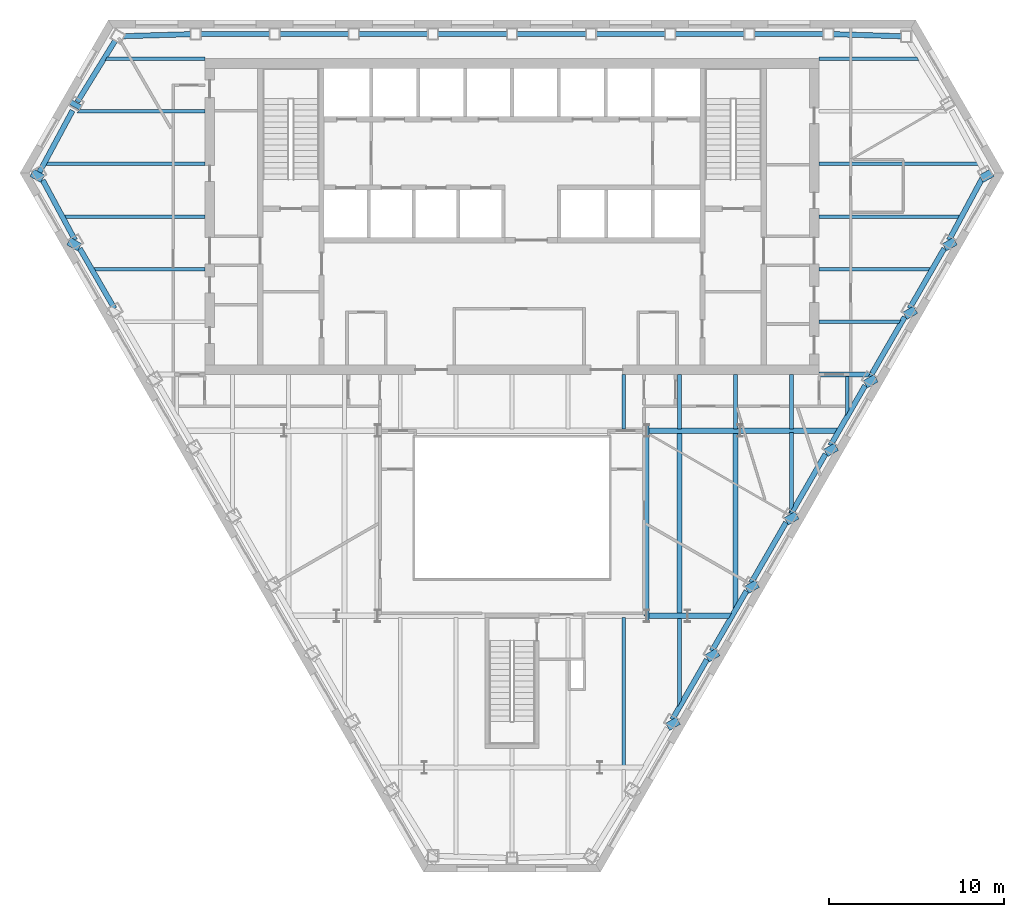
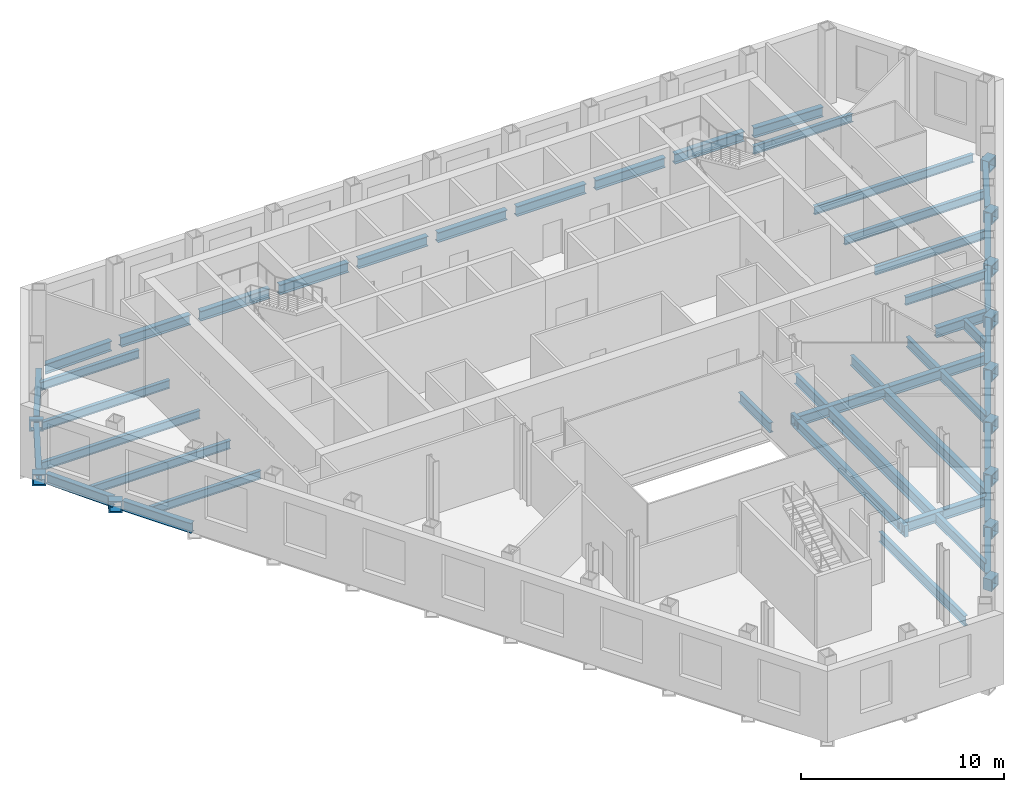
# One storey, part 3 of 11: 62 beams.
"""IFC4 building model written with IfcOpenShell, lengths in metres."""

from ifc_helpers import new_model, si_unit, direction, frame, origin, origin_2d, place, context, subcontext, project, spatial, hollow_rectangle, i_section, extrude, clip, halfspace, material, material_profile, profile_set, type_object, element, save


model = new_model("IFC4")

# Units and contexts
model_context = context("Model", 3, precision=1e-05, world=origin(), true_north=direction((0.0, 1.0)))
body_context = subcontext(model_context, "Body", "Model", "MODEL_VIEW")
ifc_project = project(units=[si_unit("LENGTHUNIT", "METRE"), si_unit("AREAUNIT", "SQUARE_METRE"), si_unit("VOLUMEUNIT", "CUBIC_METRE"), si_unit("PLANEANGLEUNIT", "RADIAN"), si_unit("MASSUNIT", "GRAM", prefix="KILO")], contexts=[model_context])

# Site, building, storey
site_placement = place(None, origin())
site = spatial("IfcSite", under=ifc_project, at=site_placement, CompositionType="ELEMENT")
building_placement = place(site_placement, origin())
building = spatial("IfcBuilding", under=site, at=building_placement, Name="Njiva Tower", CompositionType="ELEMENT")
storey_placement = place(building_placement, frame((0.0, 0.0, 97.8)))
storey = spatial("IfcBuildingStorey", under=building, at=storey_placement, Name="L20", CompositionType="ELEMENT", Elevation=97.8)

# Beams
ifc_material = material(Name="Steel S355 J2", Category="steel")
ifc_material_profile_1 = material_profile(ifc_material, i_section(OverallWidth=0.3, OverallDepth=0.69, WebThickness=0.0145, FlangeThickness=0.027, at=origin_2d()), Name="HEA 700")
ifc_profile_set_1 = profile_set([ifc_material_profile_1], Name="Steel S355 J2")
beam_type_1 = type_object("IfcBeamType", Name="B12 Long-span floor joist HEA 700", PredefinedType="JOIST", material=ifc_profile_set_1)
beam_1_placement = place(storey_placement, frame((9.55, -3.3, -0.545), z_axis=(0.0, -1.0, 0.0), x_axis=(1.0, 0.0, 0.0)))
element("IfcBeam", 1, at=beam_1_placement, inside=storey, type_object=beam_type_1, Name="Long-span floor joist S07-B085", PredefinedType="JOIST", context=body_context, shape_type="SweptSolid", body=[
    extrude(i_section(OverallWidth=0.3, OverallDepth=0.69, WebThickness=0.0145, FlangeThickness=0.027, at=origin_2d()), origin(), (0.0, 0.0, 1.0), 10.35),
])
beam_2_placement = place(storey_placement, frame((12.733, -3.3, -0.545), z_axis=(0.0, -1.0, 0.0), x_axis=(1.0, 0.0, 0.0)))
element("IfcBeam", 2, at=beam_2_placement, inside=storey, type_object=beam_type_1, Name="Long-span floor joist S07-B087", PredefinedType="JOIST", context=body_context, shape_type="Clipping", body=[
    clip(extrude(i_section(OverallWidth=0.3, OverallDepth=0.69, WebThickness=0.0145, FlangeThickness=0.027, at=origin_2d()), origin(), (0.0, 0.0, 1.0), 10.135), halfspace(frame((0.0436, 0.0, 9.8491), z_axis=(0.866026552831, 0.0, 0.499998009787), x_axis=(0.0, 1.0, 0.0)), False)),
])
ifc_material_profile_2 = material_profile(ifc_material, i_section(OverallWidth=0.22, OverallDepth=0.6, WebThickness=0.012, FlangeThickness=0.019, at=origin_2d()), Name="IPE 600")
ifc_profile_set_2 = profile_set([ifc_material_profile_2], Name="Steel S355 J2")
beam_type_2 = type_object("IfcBeamType", Name="B13 Floor joist IPE 600", PredefinedType="JOIST", material=ifc_profile_set_2)
beam_3_placement = place(storey_placement, frame((6.367, -13.851, -0.5), z_axis=(0.0, -1.0, 0.0), x_axis=(1.0, 0.0, 0.0)))
element("IfcBeam", 3, at=beam_3_placement, inside=storey, type_object=beam_type_2, Name="Floor joist S07-B082", PredefinedType="JOIST", context=body_context, shape_type="SweptSolid", body=[
    extrude(i_section(OverallWidth=0.22, OverallDepth=0.6, WebThickness=0.012, FlangeThickness=0.019, at=origin_2d()), origin(), (0.0, 0.0, 1.0), 8.449),
])
beam_4_placement = place(storey_placement, frame((9.55, -13.85, -0.5), z_axis=(0.0, -1.0, 0.0), x_axis=(1.0, 0.0, 0.0)))
element("IfcBeam", 4, at=beam_4_placement, inside=storey, type_object=beam_type_2, Name="Floor joist S07-B084", PredefinedType="JOIST", context=body_context, shape_type="Clipping", body=[
    clip(extrude(i_section(OverallWidth=0.22, OverallDepth=0.6, WebThickness=0.012, FlangeThickness=0.019, at=origin_2d()), origin(), (0.0, 0.0, 1.0), 5.099), halfspace(frame((0.0433, 0.0, 4.8128), z_axis=(0.866026552831, 0.0, 0.499998009787), x_axis=(0.0, 1.0, 0.0)), False)),
])
ifc_material_profile_3 = material_profile(ifc_material, i_section(OverallWidth=0.22, OverallDepth=0.6, WebThickness=0.012, FlangeThickness=0.019, at=origin_2d()), Name="IPE 600")
ifc_profile_set_3 = profile_set([ifc_material_profile_3], Name="Steel S355 J2")
beam_type_3 = type_object("IfcBeamType", Name="B14 Short-span floor joist IPE 600", PredefinedType="JOIST", material=ifc_profile_set_3)
beam_5_placement = place(storey_placement, frame((6.367, -0.005, -0.5), z_axis=(0.0, -1.0, 0.0), x_axis=(1.0, 0.0, 0.0)))
element("IfcBeam", 5, at=beam_5_placement, inside=storey, type_object=beam_type_3, Name="Short-span floor joist S07-B083", PredefinedType="JOIST", context=body_context, shape_type="SweptSolid", body=[
    extrude(i_section(OverallWidth=0.22, OverallDepth=0.6, WebThickness=0.012, FlangeThickness=0.019, at=origin_2d()), origin(), (0.0, 0.0, 1.0), 3.094),
])
for number, where, z_axis, x_axis, name in (
    (6, (9.55, -0.005, -0.5), (0.0, -1.0, 0.0), (1.0, 0.0, 0.0), "Short-span floor joist S07-B086"),
    (7, (12.733, -0.005, -0.5), (0.0, -1.0, 0.0), (1.0, 0.0, 0.0), "Short-span floor joist S07-B088"),
    (8, (15.917, -0.005, -0.5), (0.0, -1.0, 0.0), (1.0, 0.0, 0.0), "Short-span floor joist S07-B091"),
):
    element("IfcBeam", number, at=place(storey_placement, frame(where, z_axis=z_axis, x_axis=x_axis)), inside=storey, type_object=beam_type_3, Name=name, PredefinedType="JOIST", context=body_context, shape_type="SweptSolid", body=[
        extrude(i_section(OverallWidth=0.22, OverallDepth=0.6, WebThickness=0.012, FlangeThickness=0.019, at=origin_2d()), origin(), (0.0, 0.0, 1.0), 3.095),
    ])
beam_6_placement = place(storey_placement, frame((15.917, -3.3, -0.5), z_axis=(0.0, -1.0, 0.0), x_axis=(1.0, 0.0, 0.0)))
element("IfcBeam", 9, at=beam_6_placement, inside=storey, type_object=beam_type_3, Name="Short-span floor joist S07-B090", PredefinedType="JOIST", context=body_context, shape_type="Clipping", body=[
    clip(extrude(i_section(OverallWidth=0.22, OverallDepth=0.6, WebThickness=0.012, FlangeThickness=0.019, at=origin_2d()), origin(), (0.0, 0.0, 1.0), 4.621), halfspace(frame((0.043, 0.0, 4.3354), z_axis=(0.866026552831, 0.0, 0.499998009787), x_axis=(0.0, 1.0, 0.0)), False)),
])
beam_7_placement = place(storey_placement, frame((19.1, -0.1, -0.5), z_axis=(0.0, -1.0, 0.0), x_axis=(1.0, 0.0, 0.0)))
element("IfcBeam", 10, at=beam_7_placement, inside=storey, type_object=beam_type_3, Name="Short-span floor joist S07-B092", PredefinedType="JOIST", context=body_context, shape_type="Clipping", body=[
    clip(extrude(i_section(OverallWidth=0.22, OverallDepth=0.6, WebThickness=0.012, FlangeThickness=0.019, at=origin_2d()), origin(), (0.0, 0.0, 1.0), 2.308), halfspace(frame((0.0433, 0.0, 2.0217), z_axis=(0.866026552831, 0.0, 0.499998009787), x_axis=(0.0, 1.0, 0.0)), False)),
])
ifc_material_profile_4 = material_profile(ifc_material, hollow_rectangle(XDim=0.7, YDim=0.7, WallThickness=0.08, at=origin_2d()), Name="BOX 700x700x80")
ifc_profile_set_4 = profile_set([ifc_material_profile_4], Name="Steel S355 J2")
beam_type_4 = type_object("IfcBeamType", Name="B19 Column jog beam BOX 700x700x80", PredefinedType="BEAM", material=ifc_profile_set_4)
beam_8_placement = place(storey_placement, frame((-24.939, 15.231, -0.55), z_axis=(0.479086844992, 0.877767506209, 0.0), x_axis=(-0.877767506209, 0.479086844992, 0.0)))
element("IfcBeam", 11, at=beam_8_placement, inside=storey, type_object=beam_type_4, Name="Column jog beam S07-B032", PredefinedType="BEAM", context=body_context, shape_type="SweptSolid", body=[
    extrude(hollow_rectangle(XDim=0.7, YDim=0.7, WallThickness=0.08, at=origin_2d()), origin(), (0.0, 0.0, 1.0), 0.2985),
])
beam_9_placement = place(storey_placement, frame((-27.162, 11.115, -0.55), z_axis=(0.488667231334, 0.872470249935, 0.0), x_axis=(-0.872470249935, 0.488667231334, 0.0)))
element("IfcBeam", 12, at=beam_9_placement, inside=storey, type_object=beam_type_4, Name="Column jog beam S07-B030", PredefinedType="BEAM", context=body_context, shape_type="SweptSolid", body=[
    extrude(hollow_rectangle(XDim=0.7, YDim=0.7, WallThickness=0.08, at=origin_2d()), origin(), (0.0, 0.0, 1.0), 0.4768),
])
beam_10_placement = place(storey_placement, frame((-25.063, 7.213, -0.55), z_axis=(0.495234720822, 0.868759213645, 0.0), x_axis=(-0.868759213645, 0.495234720822, 0.0)))
element("IfcBeam", 13, at=beam_10_placement, inside=storey, type_object=beam_type_4, Name="Column jog beam S07-B031", PredefinedType="BEAM", context=body_context, shape_type="SweptSolid", body=[
    extrude(hollow_rectangle(XDim=0.7, YDim=0.7, WallThickness=0.08, at=origin_2d()), origin(), (0.0, 0.0, 1.0), 0.4765),
])
beam_11_placement = place(storey_placement, frame((9.29, -20.107, -0.55), z_axis=(-0.505448100698, 0.862857008722, 0.0), x_axis=(-0.862857008722, -0.505448100698, 0.0)))
element("IfcBeam", 14, at=beam_11_placement, inside=storey, type_object=beam_type_4, Name="Column jog beam S07-B049", PredefinedType="BEAM", context=body_context, shape_type="SweptSolid", body=[
    extrude(hollow_rectangle(XDim=0.7, YDim=0.7, WallThickness=0.08, at=origin_2d()), origin(), (0.0, 0.0, 1.0), 0.4728),
])
beam_12_placement = place(storey_placement, frame((11.543, -16.205, -0.55), z_axis=(-0.502033738113, 0.864848036245, 0.0), x_axis=(-0.864848036245, -0.502033738113, 0.0)))
element("IfcBeam", 15, at=beam_12_placement, inside=storey, type_object=beam_type_4, Name="Column jog beam S07-B050", PredefinedType="BEAM", context=body_context, shape_type="SweptSolid", body=[
    extrude(hollow_rectangle(XDim=0.7, YDim=0.7, WallThickness=0.08, at=origin_2d()), origin(), (0.0, 0.0, 1.0), 0.4741),
])
beam_13_placement = place(storey_placement, frame((13.796, -12.302, -0.55), z_axis=(-0.501119266826, 0.865378229687, 0.0), x_axis=(-0.865378229687, -0.501119266826, 0.0)))
element("IfcBeam", 16, at=beam_13_placement, inside=storey, type_object=beam_type_4, Name="Column jog beam S07-B051", PredefinedType="BEAM", context=body_context, shape_type="SweptSolid", body=[
    extrude(hollow_rectangle(XDim=0.7, YDim=0.7, WallThickness=0.08, at=origin_2d()), origin(), (0.0, 0.0, 1.0), 0.4749),
])
beam_14_placement = place(storey_placement, frame((16.05, -8.399, -0.55), z_axis=(-0.500207565094, 0.865905532852, 0.0), x_axis=(-0.865905532852, -0.500207565094, 0.0)))
element("IfcBeam", 17, at=beam_14_placement, inside=storey, type_object=beam_type_4, Name="Column jog beam S07-B052", PredefinedType="BEAM", context=body_context, shape_type="SweptSolid", body=[
    extrude(hollow_rectangle(XDim=0.7, YDim=0.7, WallThickness=0.08, at=origin_2d()), origin(), (0.0, 0.0, 1.0), 0.4758),
])
beam_15_placement = place(storey_placement, frame((18.303, -4.496, -0.55), z_axis=(-0.498629231199, 0.86681537238, 0.0), x_axis=(-0.86681537238, -0.498629231199, 0.0)))
element("IfcBeam", 18, at=beam_15_placement, inside=storey, type_object=beam_type_4, Name="Column jog beam S07-B053", PredefinedType="BEAM", context=body_context, shape_type="SweptSolid", body=[
    extrude(hollow_rectangle(XDim=0.7, YDim=0.7, WallThickness=0.08, at=origin_2d()), origin(), (0.0, 0.0, 1.0), 0.4753),
])
beam_16_placement = place(storey_placement, frame((20.556, -0.593, -0.55), z_axis=(-0.496138938357, 0.868243142124, 0.0), x_axis=(-0.868243142124, -0.496138938357, 0.0)))
element("IfcBeam", 19, at=beam_16_placement, inside=storey, type_object=beam_type_4, Name="Column jog beam S07-B054", PredefinedType="BEAM", context=body_context, shape_type="SweptSolid", body=[
    extrude(hollow_rectangle(XDim=0.7, YDim=0.7, WallThickness=0.08, at=origin_2d()), origin(), (0.0, 0.0, 1.0), 0.4757),
])
for number, where, z_axis, x_axis, name in (
    (20, (22.81, 3.31, -0.55), (-0.495234720822, 0.868759213645, 0.0), (-0.868759213645, -0.495234720822, 0.0), "Column jog beam S07-B055"),
    (21, (25.063, 7.213, -0.55), (-0.495234720822, 0.868759213645, 0.0), (-0.868759213645, -0.495234720822, 0.0), "Column jog beam S07-B057"),
):
    element("IfcBeam", number, at=place(storey_placement, frame(where, z_axis=z_axis, x_axis=x_axis)), inside=storey, type_object=beam_type_4, Name=name, PredefinedType="BEAM", context=body_context, shape_type="SweptSolid", body=[
        extrude(hollow_rectangle(XDim=0.7, YDim=0.7, WallThickness=0.08, at=origin_2d()), origin(), (0.0, 0.0, 1.0), 0.4765),
    ])
beam_17_placement = place(storey_placement, frame((27.162, 11.115, -0.55), z_axis=(-0.488667231334, 0.872470249935, 0.0), x_axis=(-0.872470249935, -0.488667231334, 0.0)))
element("IfcBeam", 22, at=beam_17_placement, inside=storey, type_object=beam_type_4, Name="Column jog beam S07-B058", PredefinedType="BEAM", context=body_context, shape_type="SweptSolid", body=[
    extrude(hollow_rectangle(XDim=0.7, YDim=0.7, WallThickness=0.08, at=origin_2d()), origin(), (0.0, 0.0, 1.0), 0.4768),
])
for number, where, z_axis, x_axis, name in (
    (23, (7.82, -3.2, -0.55), (-1.0, 0.0, 0.0), (0.0, -1.0, 0.0), "Column jog beam S07-B048"),
    (24, (7.82, -13.75, -0.55), (-1.0, 0.0, 0.0), (0.0, -1.0, 0.0), "Column jog beam S07-B047"),
):
    element("IfcBeam", number, at=place(storey_placement, frame(where, z_axis=z_axis, x_axis=x_axis)), inside=storey, type_object=beam_type_4, Name=name, PredefinedType="BEAM", context=body_context, shape_type="SweptSolid", body=[
        extrude(hollow_rectangle(XDim=0.7, YDim=0.7, WallThickness=0.08, at=origin_2d()), origin(), (0.0, 0.0, 1.0), 0.21),
    ])
ifc_material_profile_5 = material_profile(ifc_material, i_section(OverallWidth=0.3, OverallDepth=0.6, WebThickness=0.0155, FlangeThickness=0.03, at=origin_2d()), Name="HEB 600")
ifc_profile_set_5 = profile_set([ifc_material_profile_5], Name="Steel S355 J2")
beam_type_5 = type_object("IfcBeamType", Name="B20 Floor girder HEB 600", PredefinedType="BEAM", material=ifc_profile_set_5)
beam_18_placement = place(storey_placement, frame((7.67, -3.2, -0.5), z_axis=(1.0, 0.0, 0.0), x_axis=(0.0, 1.0, 0.0)))
element("IfcBeam", 25, at=beam_18_placement, inside=storey, type_object=beam_type_5, Name="Floor girder S07-B025", PredefinedType="BEAM", context=body_context, shape_type="SweptSolid", body=[
    extrude(i_section(OverallWidth=0.3, OverallDepth=0.6, WebThickness=0.0155, FlangeThickness=0.03, at=origin_2d()), origin(), (0.0, 0.0, 1.0), 5.33),
])
beam_19_placement = place(storey_placement, frame((13.0, -3.2, -0.5), z_axis=(1.0, 0.0, 0.0), x_axis=(0.0, 1.0, 0.0)))
element("IfcBeam", 26, at=beam_19_placement, inside=storey, type_object=beam_type_5, Name="Floor girder S07-B027", PredefinedType="BEAM", context=body_context, shape_type="Clipping", body=[
    clip(extrude(i_section(OverallWidth=0.3, OverallDepth=0.6, WebThickness=0.0155, FlangeThickness=0.03, at=origin_2d()), origin(), (0.0, 0.0, 1.0), 5.628), halfspace(frame((-0.025, 0.0, 5.5063), z_axis=(-0.499998009787, 0.0, 0.866026552831), x_axis=(0.0, 1.0, 0.0)), False)),
])
ifc_material_profile_6 = material_profile(ifc_material, i_section(OverallWidth=0.3, OverallDepth=0.6, WebThickness=0.0155, FlangeThickness=0.03, at=origin_2d()), Name="HEB 600")
ifc_profile_set_6 = profile_set([ifc_material_profile_6], Name="Steel S355 J2")
beam_type_6 = type_object("IfcBeamType", Name="B21 Short-span floor girder HEB 600", PredefinedType="BEAM", material=ifc_profile_set_6)
beam_20_placement = place(storey_placement, frame((7.67, -13.75, -0.5), z_axis=(1.0, 0.0, 0.0), x_axis=(0.0, 1.0, 0.0)))
element("IfcBeam", 27, at=beam_20_placement, inside=storey, type_object=beam_type_6, Name="Short-span floor girder S07-B024", PredefinedType="BEAM", context=body_context, shape_type="SweptSolid", body=[
    extrude(i_section(OverallWidth=0.3, OverallDepth=0.6, WebThickness=0.0155, FlangeThickness=0.03, at=origin_2d()), origin(), (0.0, 0.0, 1.0), 2.33),
])
beam_21_placement = place(storey_placement, frame((10.0, -13.75, -0.5), z_axis=(1.0, 0.0, 0.0), x_axis=(0.0, 1.0, 0.0)))
element("IfcBeam", 28, at=beam_21_placement, inside=storey, type_object=beam_type_6, Name="Short-span floor girder S07-B026", PredefinedType="BEAM", context=body_context, shape_type="Clipping", body=[
    clip(extrude(i_section(OverallWidth=0.3, OverallDepth=0.6, WebThickness=0.0155, FlangeThickness=0.03, at=origin_2d()), origin(), (0.0, 0.0, 1.0), 2.537), halfspace(frame((-0.025, 0.0, 2.4153), z_axis=(-0.499998009787, 0.0, 0.866026552831), x_axis=(0.0, 1.0, 0.0)), False)),
])
beam_22_placement = place(storey_placement, frame((17.5, 0.0, -0.5), z_axis=(1.0, 0.0, 0.0), x_axis=(0.0, 1.0, 0.0)))
element("IfcBeam", 29, at=beam_22_placement, inside=storey, type_object=beam_type_6, Name="Short-span floor girder S07-B029", PredefinedType="BEAM", context=body_context, shape_type="Clipping", body=[
    clip(extrude(i_section(OverallWidth=0.3, OverallDepth=0.6, WebThickness=0.0155, FlangeThickness=0.03, at=origin_2d()), origin(), (0.0, 0.0, 1.0), 2.975), halfspace(frame((-0.025, 0.0, 2.8539), z_axis=(-0.499998009787, 0.0, 0.866026552831), x_axis=(0.0, 1.0, 0.0)), False)),
])
ifc_material_profile_7 = material_profile(ifc_material, i_section(OverallWidth=0.3, OverallDepth=0.6, WebThickness=0.0155, FlangeThickness=0.03, at=origin_2d()), Name="HEB 600")
ifc_profile_set_7 = profile_set([ifc_material_profile_7], Name="Steel S355 J2")
beam_type_7 = type_object("IfcBeamType", Name="B23 Long-span atrium trimmer beam HEB 600", PredefinedType="BEAM", material=ifc_profile_set_7)
beam_23_placement = place(storey_placement, frame((7.67, -13.75, -0.5), z_axis=(0.0, 1.0, 0.0), x_axis=(-1.0, 0.0, 0.0)))
element("IfcBeam", 30, at=beam_23_placement, inside=storey, type_object=beam_type_7, Name="Long-span atrium trimmer beam S07-B097", PredefinedType="BEAM", context=body_context, shape_type="SweptSolid", body=[
    extrude(i_section(OverallWidth=0.3, OverallDepth=0.6, WebThickness=0.0155, FlangeThickness=0.03, at=origin_2d()), origin(), (0.0, 0.0, 1.0), 10.55),
])
ifc_material_profile_8 = material_profile(ifc_material, i_section(OverallWidth=0.2, OverallDepth=0.5, WebThickness=0.0102, FlangeThickness=0.016, at=origin_2d()), Name="IPE 500")
ifc_profile_set_8 = profile_set([ifc_material_profile_8], Name="Steel S355 J2")
beam_type_8 = type_object("IfcBeamType", Name="B24 Floor beam to the core IPE 500", PredefinedType="BEAM", material=ifc_profile_set_8)
beam_24_placement = place(storey_placement, frame((17.5, 3.0, -0.45), z_axis=(1.0, 0.0, 0.0), x_axis=(0.0, 1.0, 0.0)))
element("IfcBeam", 31, at=beam_24_placement, inside=storey, type_object=beam_type_8, Name="Floor beam to the core S07-B008", PredefinedType="BEAM", context=body_context, shape_type="Clipping", body=[
    clip(extrude(i_section(OverallWidth=0.2, OverallDepth=0.5, WebThickness=0.0102, FlangeThickness=0.016, at=origin_2d()), origin(), (0.0, 0.0, 1.0), 4.678), halfspace(frame((-0.025, 0.0, 4.5859), z_axis=(-0.499998009787, 0.0, 0.866026552831), x_axis=(0.0, 1.0, 0.0)), False)),
])
beam_25_placement = place(storey_placement, frame((-23.91, 6.0, -0.45), z_axis=(1.0, 0.0, 0.0), x_axis=(0.0, 1.0, 0.0)))
element("IfcBeam", 32, at=beam_25_placement, inside=storey, type_object=beam_type_8, Name="Floor beam to the core S07-B005", PredefinedType="BEAM", context=body_context, shape_type="Clipping", body=[
    clip(extrude(i_section(OverallWidth=0.2, OverallDepth=0.5, WebThickness=0.0102, FlangeThickness=0.016, at=origin_2d()), origin(), (0.0, 0.0, 1.0), 6.41), halfspace(frame((-0.025, 0.0, 0.092), z_axis=(-0.499998009787, 0.0, -0.866026552831), x_axis=(0.0, -1.0, 0.0)), False)),
])
beam_26_placement = place(storey_placement, frame((17.5, 6.0, -0.45), z_axis=(1.0, 0.0, 0.0), x_axis=(0.0, 1.0, 0.0)))
element("IfcBeam", 33, at=beam_26_placement, inside=storey, type_object=beam_type_8, Name="Floor beam to the core S07-B009", PredefinedType="BEAM", context=body_context, shape_type="Clipping", body=[
    clip(extrude(i_section(OverallWidth=0.2, OverallDepth=0.5, WebThickness=0.0102, FlangeThickness=0.016, at=origin_2d()), origin(), (0.0, 0.0, 1.0), 6.41), halfspace(frame((-0.025, 0.0, 6.318), z_axis=(-0.499998009787, 0.0, 0.866026552831), x_axis=(0.0, 1.0, 0.0)), False)),
])
beam_27_placement = place(storey_placement, frame((-25.584, 9.0, -0.45), z_axis=(1.0, 0.0, 0.0), x_axis=(0.0, 1.0, 0.0)))
element("IfcBeam", 34, at=beam_27_placement, inside=storey, type_object=beam_type_8, Name="Floor beam to the core S07-B002", PredefinedType="BEAM", context=body_context, shape_type="Clipping", body=[
    clip(extrude(i_section(OverallWidth=0.2, OverallDepth=0.5, WebThickness=0.0102, FlangeThickness=0.016, at=origin_2d()), origin(), (0.0, 0.0, 1.0), 8.084), halfspace(frame((-0.0237, 0.0, 0.0865), z_axis=(-0.473769423091, 0.0, -0.880648927634), x_axis=(0.0, -1.0, 0.0)), False)),
])
beam_28_placement = place(storey_placement, frame((17.5, 9.0, -0.45), z_axis=(1.0, 0.0, 0.0), x_axis=(0.0, 1.0, 0.0)))
element("IfcBeam", 35, at=beam_28_placement, inside=storey, type_object=beam_type_8, Name="Floor beam to the core S07-B010", PredefinedType="BEAM", context=body_context, shape_type="Clipping", body=[
    clip(extrude(i_section(OverallWidth=0.2, OverallDepth=0.5, WebThickness=0.0102, FlangeThickness=0.016, at=origin_2d()), origin(), (0.0, 0.0, 1.0), 8.084), halfspace(frame((-0.0237, 0.0, 7.9975), z_axis=(-0.473769423091, 0.0, 0.880648927634), x_axis=(0.0, 1.0, 0.0)), False)),
])
beam_29_placement = place(storey_placement, frame((-26.637, 12.0, -0.45), z_axis=(1.0, 0.0, 0.0), x_axis=(0.0, 1.0, 0.0)))
element("IfcBeam", 36, at=beam_29_placement, inside=storey, type_object=beam_type_8, Name="Floor beam to the core S07-B001", PredefinedType="BEAM", context=body_context, shape_type="Clipping", body=[
    clip(extrude(i_section(OverallWidth=0.2, OverallDepth=0.5, WebThickness=0.0102, FlangeThickness=0.016, at=origin_2d()), origin(), (0.0, 0.0, 1.0), 9.137), halfspace(frame((0.0237, 0.0, 0.0863), z_axis=(0.474151703132, 0.0, -0.880443162513), x_axis=(0.0, -1.0, 0.0)), False)),
])
beam_30_placement = place(storey_placement, frame((17.5, 12.0, -0.45), z_axis=(1.0, 0.0, 0.0), x_axis=(0.0, 1.0, 0.0)))
element("IfcBeam", 37, at=beam_30_placement, inside=storey, type_object=beam_type_8, Name="Floor beam to the core S07-B011", PredefinedType="BEAM", context=body_context, shape_type="Clipping", body=[
    clip(extrude(i_section(OverallWidth=0.2, OverallDepth=0.5, WebThickness=0.0102, FlangeThickness=0.016, at=origin_2d()), origin(), (0.0, 0.0, 1.0), 9.137), halfspace(frame((0.0237, 0.0, 9.0507), z_axis=(0.474151703132, 0.0, 0.880443162513), x_axis=(0.0, 1.0, 0.0)), False)),
])
beam_31_placement = place(storey_placement, frame((-24.806, 15.0, -0.45), z_axis=(1.0, 0.0, 0.0), x_axis=(0.0, 1.0, 0.0)))
element("IfcBeam", 38, at=beam_31_placement, inside=storey, type_object=beam_type_8, Name="Floor beam to the core S07-B004", PredefinedType="BEAM", context=body_context, shape_type="Clipping", body=[
    clip(extrude(i_section(OverallWidth=0.2, OverallDepth=0.5, WebThickness=0.0102, FlangeThickness=0.016, at=origin_2d()), origin(), (0.0, 0.0, 1.0), 7.306), halfspace(frame((0.025, 0.0, 0.0929), z_axis=(0.499998009787, 0.0, -0.866026552831), x_axis=(0.0, -1.0, 0.0)), False)),
])
beam_32_placement = place(storey_placement, frame((-23.208, 18.0, -0.45), z_axis=(1.0, 0.0, 0.0), x_axis=(0.0, 1.0, 0.0)))
element("IfcBeam", 39, at=beam_32_placement, inside=storey, type_object=beam_type_8, Name="Floor beam to the core S07-B006", PredefinedType="BEAM", context=body_context, shape_type="Clipping", body=[
    clip(extrude(i_section(OverallWidth=0.2, OverallDepth=0.5, WebThickness=0.0102, FlangeThickness=0.016, at=origin_2d()), origin(), (0.0, 0.0, 1.0), 5.708), halfspace(frame((0.0263, 0.0, 0.0982), z_axis=(0.525409634683, 0.0, -0.850849408405), x_axis=(0.0, -1.0, 0.0)), False)),
])
beam_33_placement = place(storey_placement, frame((17.5, 18.0, -0.45), z_axis=(1.0, 0.0, 0.0), x_axis=(0.0, 1.0, 0.0)))
element("IfcBeam", 40, at=beam_33_placement, inside=storey, type_object=beam_type_8, Name="Floor beam to the core S07-B014", PredefinedType="BEAM", context=body_context, shape_type="Clipping", body=[
    clip(extrude(i_section(OverallWidth=0.2, OverallDepth=0.5, WebThickness=0.0102, FlangeThickness=0.016, at=origin_2d()), origin(), (0.0, 0.0, 1.0), 5.708), halfspace(frame((0.0263, 0.0, 5.6098), z_axis=(0.525409634683, 0.0, 0.850849408405), x_axis=(0.0, 1.0, 0.0)), False)),
])
ifc_material_profile_9 = material_profile(ifc_material, i_section(OverallWidth=0.3, OverallDepth=0.6, WebThickness=0.0155, FlangeThickness=0.03, at=origin_2d()), Name="HEB 600")
ifc_profile_set_9 = profile_set([ifc_material_profile_9], Name="Steel S355 J2")
beam_type_9 = type_object("IfcBeamType", Name="B3 Short-span spandrel beam HEB 600", PredefinedType="SPANDREL", material=ifc_profile_set_9)
beam_34_placement = place(storey_placement, frame((22.177, 19.275, -0.5), z_axis=(-0.999543780598, 0.030203156593, 0.0), x_axis=(-0.030203156593, -0.999543780598, 0.0)))
element("IfcBeam", 41, at=beam_34_placement, inside=storey, type_object=beam_type_9, Name="Short-span spandrel beam S07-B153", PredefinedType="SPANDREL", context=body_context, shape_type="SweptSolid", body=[
    extrude(i_section(OverallWidth=0.3, OverallDepth=0.6, WebThickness=0.0155, FlangeThickness=0.03, at=origin_2d()), origin(), (0.0, 0.0, 1.0), 3.8738),
])
beam_35_placement = place(storey_placement, frame((17.751, 19.4, -0.5), z_axis=(-1.0, 0.0, 0.0), x_axis=(0.0, -1.0, 0.0)))
element("IfcBeam", 42, at=beam_35_placement, inside=storey, type_object=beam_type_9, Name="Short-span spandrel beam S07-B147", PredefinedType="SPANDREL", context=body_context, shape_type="SweptSolid", body=[
    extrude(i_section(OverallWidth=0.3, OverallDepth=0.6, WebThickness=0.0155, FlangeThickness=0.03, at=origin_2d()), origin(), (0.0, 0.0, 1.0), 3.956),
])
beam_36_placement = place(storey_placement, frame((13.245, 19.4, -0.5), z_axis=(-1.0, 0.0, 0.0), x_axis=(0.0, -1.0, 0.0)))
element("IfcBeam", 43, at=beam_36_placement, inside=storey, type_object=beam_type_9, Name="Short-span spandrel beam S07-B142", PredefinedType="SPANDREL", context=body_context, shape_type="SweptSolid", body=[
    extrude(i_section(OverallWidth=0.3, OverallDepth=0.6, WebThickness=0.0155, FlangeThickness=0.03, at=origin_2d()), origin(), (0.0, 0.0, 1.0), 3.957),
])
beam_37_placement = place(storey_placement, frame((8.738, 19.4, -0.5), z_axis=(-1.0, 0.0, 0.0), x_axis=(0.0, -1.0, 0.0)))
element("IfcBeam", 44, at=beam_37_placement, inside=storey, type_object=beam_type_9, Name="Short-span spandrel beam S07-B137", PredefinedType="SPANDREL", context=body_context, shape_type="SweptSolid", body=[
    extrude(i_section(OverallWidth=0.3, OverallDepth=0.6, WebThickness=0.0155, FlangeThickness=0.03, at=origin_2d()), origin(), (0.0, 0.0, 1.0), 3.956),
])
for number, where, z_axis, x_axis, name in (
    (45, (4.232, 19.4, -0.5), (-1.0, 0.0, 0.0), (0.0, -1.0, 0.0), "Short-span spandrel beam S07-B132"),
    (46, (-0.275, 19.4, -0.5), (-1.0, 0.0, 0.0), (0.0, -1.0, 0.0), "Short-span spandrel beam S07-B130"),
):
    element("IfcBeam", number, at=place(storey_placement, frame(where, z_axis=z_axis, x_axis=x_axis)), inside=storey, type_object=beam_type_9, Name=name, PredefinedType="SPANDREL", context=body_context, shape_type="SweptSolid", body=[
        extrude(i_section(OverallWidth=0.3, OverallDepth=0.6, WebThickness=0.0155, FlangeThickness=0.03, at=origin_2d()), origin(), (0.0, 0.0, 1.0), 3.957),
    ])
beam_38_placement = place(storey_placement, frame((-4.782, 19.4, -0.5), z_axis=(-1.0, 0.0, 0.0), x_axis=(0.0, -1.0, 0.0)))
element("IfcBeam", 47, at=beam_38_placement, inside=storey, type_object=beam_type_9, Name="Short-span spandrel beam S07-B126", PredefinedType="SPANDREL", context=body_context, shape_type="SweptSolid", body=[
    extrude(i_section(OverallWidth=0.3, OverallDepth=0.6, WebThickness=0.0155, FlangeThickness=0.03, at=origin_2d()), origin(), (0.0, 0.0, 1.0), 3.956),
])
beam_39_placement = place(storey_placement, frame((-9.288, 19.4, -0.5), z_axis=(-1.0, 0.0, 0.0), x_axis=(0.0, -1.0, 0.0)))
element("IfcBeam", 48, at=beam_39_placement, inside=storey, type_object=beam_type_9, Name="Short-span spandrel beam S07-B121", PredefinedType="SPANDREL", context=body_context, shape_type="SweptSolid", body=[
    extrude(i_section(OverallWidth=0.3, OverallDepth=0.6, WebThickness=0.0155, FlangeThickness=0.03, at=origin_2d()), origin(), (0.0, 0.0, 1.0), 3.957),
])
beam_40_placement = place(storey_placement, frame((-13.795, 19.4, -0.5), z_axis=(-1.0, 0.0, 0.0), x_axis=(0.0, -1.0, 0.0)))
element("IfcBeam", 49, at=beam_40_placement, inside=storey, type_object=beam_type_9, Name="Short-span spandrel beam S07-B116", PredefinedType="SPANDREL", context=body_context, shape_type="SweptSolid", body=[
    extrude(i_section(OverallWidth=0.3, OverallDepth=0.6, WebThickness=0.0155, FlangeThickness=0.03, at=origin_2d()), origin(), (0.0, 0.0, 1.0), 3.956),
])
beam_41_placement = place(storey_placement, frame((-18.305, 19.392, -0.5), z_axis=(-0.999549830104, -0.03000228558, 0.0), x_axis=(0.03000228558, -0.999549830104, 0.0)))
element("IfcBeam", 50, at=beam_41_placement, inside=storey, type_object=beam_type_9, Name="Short-span spandrel beam S07-B110", PredefinedType="SPANDREL", context=body_context, shape_type="Clipping", body=[
    clip(extrude(i_section(OverallWidth=0.3, OverallDepth=0.6, WebThickness=0.0155, FlangeThickness=0.03, at=origin_2d()), origin(), (0.0, 0.0, 1.0), 3.9127), halfspace(frame((-0.0259, 0.0, 3.7839), z_axis=(-0.525755701692, 0.0, 0.850635610669), x_axis=(0.0, 1.0, 0.0)), False)),
])
beam_42_placement = place(storey_placement, frame((-22.606, 19.032, -0.5), z_axis=(-0.525410210782, -0.850849052656, 0.0), x_axis=(0.850849052656, -0.525410210782, 0.0)))
element("IfcBeam", 51, at=beam_42_placement, inside=storey, type_object=beam_type_9, Name="Short-span spandrel beam S07-B103", PredefinedType="SPANDREL", context=body_context, shape_type="SweptSolid", body=[
    extrude(i_section(OverallWidth=0.3, OverallDepth=0.6, WebThickness=0.0155, FlangeThickness=0.03, at=origin_2d()), origin(), (0.0, 0.0, 1.0), 4.1206),
])
beam_43_placement = place(storey_placement, frame((-25.041, 15.038, -0.5), z_axis=(-0.474158698641, -0.880439395134, 0.0), x_axis=(0.880439395134, -0.474158698641, 0.0)))
element("IfcBeam", 52, at=beam_43_placement, inside=storey, type_object=beam_type_9, Name="Short-span spandrel beam S07-B099", PredefinedType="SPANDREL", context=body_context, shape_type="Clipping", body=[
    clip(extrude(i_section(OverallWidth=0.3, OverallDepth=0.6, WebThickness=0.0155, FlangeThickness=0.03, at=origin_2d()), origin(), (0.0, 0.0, 1.0), 4.1644), halfspace(frame((-0.0262, 0.0, 4.0353), z_axis=(-0.525405488701, 0.0, 0.850851968584), x_axis=(0.0, 1.0, 0.0)), False)),
])
beam_44_placement = place(storey_placement, frame((-26.739, 11.073, -0.5), z_axis=(0.473838311097, -0.880611863954, 0.0), x_axis=(0.880611863954, 0.473838311097, 0.0)))
element("IfcBeam", 53, at=beam_44_placement, inside=storey, type_object=beam_type_9, Name="Short-span spandrel beam S07-B102", PredefinedType="SPANDREL", context=body_context, shape_type="SweptSolid", body=[
    extrude(i_section(OverallWidth=0.3, OverallDepth=0.6, WebThickness=0.0155, FlangeThickness=0.03, at=origin_2d()), origin(), (0.0, 0.0, 1.0), 3.8768),
])
for number, where, z_axis, x_axis, name in (
    (54, (-24.629, 7.18, -0.5), (0.499999616612, -0.866025625133, 0.0), (0.866025625133, 0.499999616612, 0.0), "Short-span spandrel beam S07-B106"),
    (55, (9.131, -19.663, -0.5), (0.499999616612, 0.866025625133, 0.0), (-0.866025625133, 0.499999616612, 0.0), "Short-span spandrel beam S07-B140"),
):
    element("IfcBeam", number, at=place(storey_placement, frame(where, z_axis=z_axis, x_axis=x_axis)), inside=storey, type_object=beam_type_9, Name=name, PredefinedType="SPANDREL", context=body_context, shape_type="SweptSolid", body=[
        extrude(i_section(OverallWidth=0.3, OverallDepth=0.6, WebThickness=0.0155, FlangeThickness=0.03, at=origin_2d()), origin(), (0.0, 0.0, 1.0), 3.956),
    ])
beam_45_placement = place(storey_placement, frame((11.384, -15.761, -0.5), z_axis=(0.499890179513, 0.866088799389, 0.0), x_axis=(-0.866088799389, 0.499890179513, 0.0)))
element("IfcBeam", 56, at=beam_45_placement, inside=storey, type_object=beam_type_9, Name="Short-span spandrel beam S07-B143", PredefinedType="SPANDREL", context=body_context, shape_type="SweptSolid", body=[
    extrude(i_section(OverallWidth=0.3, OverallDepth=0.6, WebThickness=0.0155, FlangeThickness=0.03, at=origin_2d()), origin(), (0.0, 0.0, 1.0), 3.9569),
])
beam_46_placement = place(storey_placement, frame((13.637, -11.858, -0.5), z_axis=(0.500079715141, 0.865979375335, 0.0), x_axis=(-0.865979375335, 0.500079715141, 0.0)))
element("IfcBeam", 57, at=beam_46_placement, inside=storey, type_object=beam_type_9, Name="Short-span spandrel beam S07-B145", PredefinedType="SPANDREL", context=body_context, shape_type="SweptSolid", body=[
    extrude(i_section(OverallWidth=0.3, OverallDepth=0.6, WebThickness=0.0155, FlangeThickness=0.03, at=origin_2d()), origin(), (0.0, 0.0, 1.0), 3.9574),
])
beam_47_placement = place(storey_placement, frame((15.891, -7.955, -0.5), z_axis=(0.499890179513, 0.866088799389, 0.0), x_axis=(-0.866088799389, 0.499890179513, 0.0)))
element("IfcBeam", 58, at=beam_47_placement, inside=storey, type_object=beam_type_9, Name="Short-span spandrel beam S07-B149", PredefinedType="SPANDREL", context=body_context, shape_type="SweptSolid", body=[
    extrude(i_section(OverallWidth=0.3, OverallDepth=0.6, WebThickness=0.0155, FlangeThickness=0.03, at=origin_2d()), origin(), (0.0, 0.0, 1.0), 3.9569),
])
beam_48_placement = place(storey_placement, frame((18.144, -4.052, -0.5), z_axis=(0.500189166063, 0.865916161157, 0.0), x_axis=(-0.865916161157, 0.500189166063, 0.0)))
element("IfcBeam", 59, at=beam_48_placement, inside=storey, type_object=beam_type_9, Name="Short-span spandrel beam S07-B151", PredefinedType="SPANDREL", context=body_context, shape_type="SweptSolid", body=[
    extrude(i_section(OverallWidth=0.3, OverallDepth=0.6, WebThickness=0.0155, FlangeThickness=0.03, at=origin_2d()), origin(), (0.0, 0.0, 1.0), 3.9565),
])
beam_49_placement = place(storey_placement, frame((20.398, -0.149, -0.5), z_axis=(0.499890179513, 0.866088799389, 0.0), x_axis=(-0.866088799389, 0.499890179513, 0.0)))
element("IfcBeam", 60, at=beam_49_placement, inside=storey, type_object=beam_type_9, Name="Short-span spandrel beam S07-B155", PredefinedType="SPANDREL", context=body_context, shape_type="SweptSolid", body=[
    extrude(i_section(OverallWidth=0.3, OverallDepth=0.6, WebThickness=0.0155, FlangeThickness=0.03, at=origin_2d()), origin(), (0.0, 0.0, 1.0), 3.9569),
])
beam_50_placement = place(storey_placement, frame((22.651, 3.754, -0.5), z_axis=(0.499999616612, 0.866025625133, 0.0), x_axis=(-0.866025625133, 0.499999616612, 0.0)))
element("IfcBeam", 61, at=beam_50_placement, inside=storey, type_object=beam_type_9, Name="Short-span spandrel beam S07-B157", PredefinedType="SPANDREL", context=body_context, shape_type="SweptSolid", body=[
    extrude(i_section(OverallWidth=0.3, OverallDepth=0.6, WebThickness=0.0155, FlangeThickness=0.03, at=origin_2d()), origin(), (0.0, 0.0, 1.0), 3.956),
])
beam_51_placement = place(storey_placement, frame((24.902, 7.659, -0.5), z_axis=(0.473934860412, 0.880559906018, 0.0), x_axis=(-0.880559906018, 0.473934860412, 0.0)))
element("IfcBeam", 62, at=beam_51_placement, inside=storey, type_object=beam_type_9, Name="Short-span spandrel beam S07-B161", PredefinedType="SPANDREL", context=body_context, shape_type="SweptSolid", body=[
    extrude(i_section(OverallWidth=0.3, OverallDepth=0.6, WebThickness=0.0155, FlangeThickness=0.03, at=origin_2d()), origin(), (0.0, 0.0, 1.0), 4.3381),
])

save(model, "model.ifc")
